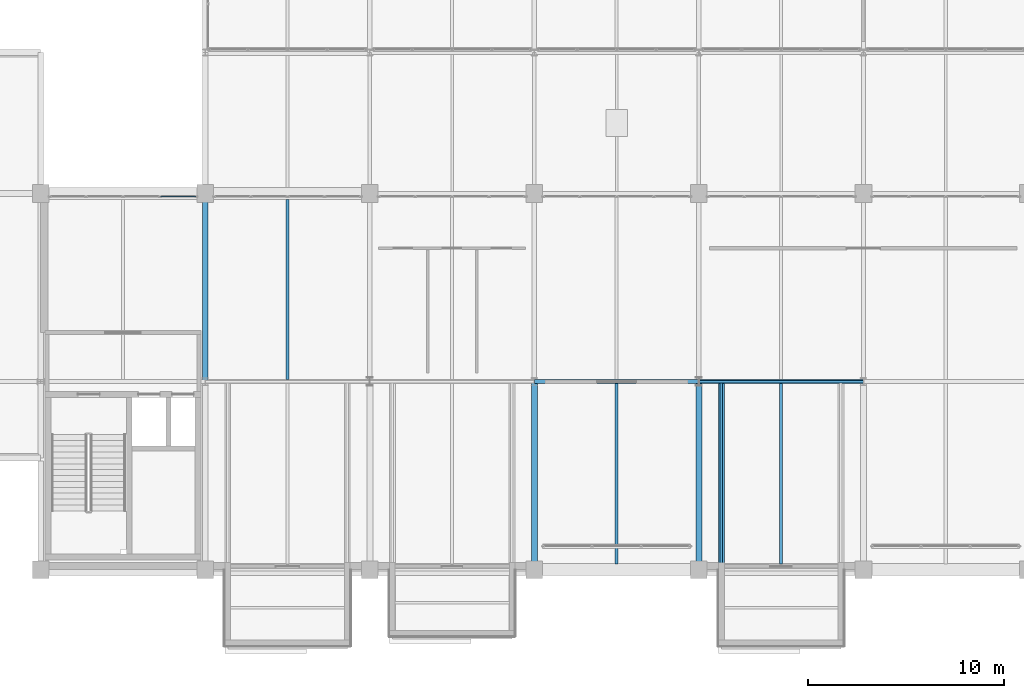
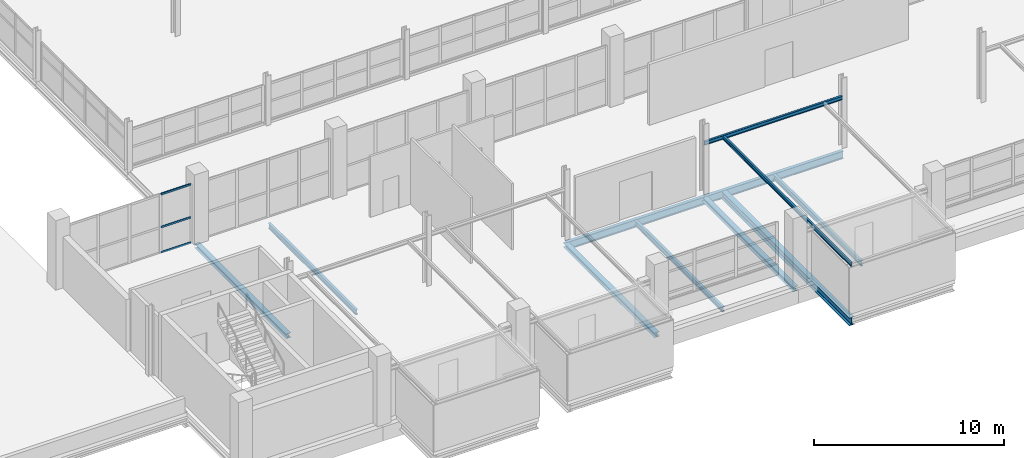
# One storey, part 16 of 103: 11 beams, 3 members, 1 element without a shape of its own.
"""IFC4 building model written with IfcOpenShell, lengths in metres."""

from ifc_helpers import new_model, si_unit, direction, frame, origin, origin_2d, place, context, subcontext, project, spatial, hollow_rectangle, i_section, extrude, material, material_profile, profile_set, type_object, element, aggregate, save


model = new_model("IFC4")

# Units and contexts
model_context = context("Model", 3, precision=1e-05, world=origin(), true_north=direction((0.0, 1.0)))
body_context = subcontext(model_context, "Body", "Model", "MODEL_VIEW")
ifc_project = project(units=[si_unit("LENGTHUNIT", "METRE"), si_unit("AREAUNIT", "SQUARE_METRE"), si_unit("VOLUMEUNIT", "CUBIC_METRE"), si_unit("PLANEANGLEUNIT", "RADIAN"), si_unit("MASSUNIT", "GRAM", prefix="KILO")], contexts=[model_context])

# Site, building, storey
site_placement = place(None, origin())
site = spatial("IfcSite", under=ifc_project, at=site_placement, CompositionType="ELEMENT")
building_placement = place(site_placement, origin())
building = spatial("IfcBuilding", under=site, at=building_placement, Name="Veltarok Museum of Natural Sciences", CompositionType="ELEMENT")
storey_placement = place(building_placement, frame((0.0, 0.0, 21.89990234375)))
storey = spatial("IfcBuildingStorey", under=building, at=storey_placement, Name="L04", CompositionType="ELEMENT", Elevation=21.89990234375)

# Beams
ifc_material_1 = material(Name="Steel S355J2", Category="steel")
ifc_material_profile_1 = material_profile(ifc_material_1, i_section(OverallWidth=0.300048828125, OverallDepth=0.5, WebThickness=0.014404296875, FlangeThickness=0.028076171875, FilletRadius=0.027099609375, at=origin_2d()), Name="HEB 500")
ifc_profile_set_1 = profile_set([ifc_material_profile_1], Name="Steel S355J2")
beam_type_1 = type_object("IfcBeamType", Name="Cabinet Box Cantilever Girder HEB 500", PredefinedType="BEAM", material=ifc_profile_set_1)
beam_1_placement = place(storey_placement, frame((66.35009765625, -3.89990234375, -0.5), z_axis=(0.0, 1.0, 0.0), x_axis=(-1.0, 0.0, 0.0)))
element("IfcBeam", 1, at=beam_1_placement, inside=storey, type_object=beam_type_1, Name="Cabinet Cantilever Girder DB-21-1", PredefinedType="BEAM", context=body_context, shape_type="SweptSolid", body=[
    extrude(i_section(OverallWidth=0.300048828125, OverallDepth=0.5, WebThickness=0.014404296875, FlangeThickness=0.028076171875, FilletRadius=0.027099609375, at=origin_2d()), origin(), (0.0, 0.0, 1.0), 13.5),
])
ifc_material_profile_2 = material_profile(ifc_material_1, i_section(OverallWidth=0.1201171875, OverallDepth=0.239990234375, WebThickness=0.006103515625, FlangeThickness=0.009765625, FilletRadius=0.014892578125, at=origin_2d()), Name="IPE 240")
ifc_profile_set_2 = profile_set([ifc_material_profile_2], Name="Steel S355J2")
beam_type_2 = type_object("IfcBeamType", Name="Cabinet Box Secondary Joist IPE 240", PredefinedType="JOIST", material=ifc_profile_set_2)
beam_2_placement = place(storey_placement, frame((66.35009765625, -3.89990234375, 3.130126953125), z_axis=(0.0, 1.0, 0.0), x_axis=(-1.0, 0.0, 0.0)))
element("IfcBeam", 2, at=beam_2_placement, inside=storey, type_object=beam_type_2, Name="Cabinet Roof Rafter DB-21-1", PredefinedType="JOIST", context=body_context, shape_type="SweptSolid", body=[
    extrude(i_section(OverallWidth=0.1201171875, OverallDepth=0.239990234375, WebThickness=0.006103515625, FlangeThickness=0.009765625, FilletRadius=0.014892578125, at=origin_2d()), origin(), (0.0, 0.0, 1.0), 13.5),
])
beam_3_placement = place(storey_placement, frame((65.199951171875, 9.60009765625, 3.130126953125), z_axis=(1.0, 0.0, 0.0), x_axis=(0.0, 1.0, 0.0)))
element("IfcBeam", 3, at=beam_3_placement, inside=storey, type_object=beam_type_2, Name="Cabinet Roof Tie Beam DB-21-I", PredefinedType="JOIST", context=body_context, shape_type="SweptSolid", body=[
    extrude(i_section(OverallWidth=0.1201171875, OverallDepth=0.239990234375, WebThickness=0.006103515625, FlangeThickness=0.009765625, FilletRadius=0.014892578125, at=origin_2d()), origin(), (0.0, 0.0, 1.0), 8.400146484375),
])

# Curtain wall, members
ifc_material_2 = material(Name="Low-iron triple insulated glass", Category="glass")
curtain_wall_type = type_object("IfcCurtainWallType", Name="Curtain Wall System CW-V1CN4-L04-2-755x378 (CW-V1CN4 L04 755x378cm)", PredefinedType="NOTDEFINED", material=ifc_material_2)
curtain_wall_placement = place(storey_placement, origin())
curtain_wall = element("IfcCurtainWall", 4, at=curtain_wall_placement, inside=storey, type_object=curtain_wall_type, Name="Curtain Wall CW-V1CN4-L04-2-755x378 CW-0162", PredefinedType="NOTDEFINED")
ifc_material_3 = material(Name="Thermally broken anodised aluminium", Category="aluminium")
ifc_material_profile_3 = material_profile(ifc_material_3, hollow_rectangle(XDim=0.06005859375, YDim=0.1201171875, WallThickness=0.0048828125, at=origin_2d()), Name="CW TRANSOM 60x120x5")
ifc_profile_set_3 = profile_set([ifc_material_profile_3], Name="Thermally broken anodised aluminium")
member_type = type_object("IfcMemberType", Name="Curtain Wall Horizontal Transom 60x120x5", PredefinedType="USERDEFINED", material=ifc_profile_set_3)
member_1_placement = place(storey_placement, frame((39.514892578125, 19.050048828125, 0.028076171875), z_axis=(-1.0, 0.0, 0.0), x_axis=(0.0, -1.0, 0.0)))
member_1 = element("IfcMember", 5, at=member_1_placement, type_object=member_type, Name="CW-V1CN4-L04-2-755x378 transom 1.1", ObjectType="TRANSOM", PredefinedType="USERDEFINED", context=body_context, shape_type="SweptSolid", body=[
    extrude(hollow_rectangle(XDim=0.06005859375, YDim=0.1201171875, WallThickness=0.0048828125, at=origin_2d()), origin(), (0.0, 0.0, 1.0), 1.79736328125),
])
member_2_placement = place(storey_placement, frame((39.514892578125, 19.050048828125, 1.648193359375), z_axis=(-1.0, 0.0, 0.0), x_axis=(0.0, -1.0, 0.0)))
member_2 = element("IfcMember", 6, at=member_2_placement, type_object=member_type, Name="CW-V1CN4-L04-2-755x378 transom 1.2", ObjectType="TRANSOM", PredefinedType="USERDEFINED", context=body_context, shape_type="SweptSolid", body=[
    extrude(hollow_rectangle(XDim=0.06005859375, YDim=0.1201171875, WallThickness=0.0048828125, at=origin_2d()), origin(), (0.0, 0.0, 1.0), 1.79736328125),
])
member_3_placement = place(storey_placement, frame((39.514892578125, 19.050048828125, 3.75), z_axis=(-1.0, 0.0, 0.0), x_axis=(0.0, -1.0, 0.0)))
member_3 = element("IfcMember", 7, at=member_3_placement, type_object=member_type, Name="CW-V1CN4-L04-2-755x378 transom 1.3", ObjectType="TRANSOM", PredefinedType="USERDEFINED", context=body_context, shape_type="SweptSolid", body=[
    extrude(hollow_rectangle(XDim=0.06005859375, YDim=0.1201171875, WallThickness=0.0048828125, at=origin_2d()), origin(), (0.0, 0.0, 1.0), 1.79736328125),
])
aggregate(curtain_wall, [member_1, member_2, member_3])

# Beams
ifc_material_profile_4 = material_profile(ifc_material_1, i_section(OverallWidth=0.300048828125, OverallDepth=0.2900390625, WebThickness=0.008544921875, FlangeThickness=0.013916015625, FilletRadius=0.027099609375, at=origin_2d()), Name="HEA 300")
ifc_profile_set_4 = profile_set([ifc_material_profile_4], Name="Steel S355J2")
beam_type_3 = type_object("IfcBeamType", Name="Glazed Hall Edge Spandrel HEA 300", PredefinedType="SPANDREL", material=ifc_profile_set_4)
beam_4_placement = place(storey_placement, frame((40.0, 9.60009765625, -0.39501953125), z_axis=(0.0, 1.0, 0.0), x_axis=(-1.0, 0.0, 0.0)))
element("IfcBeam", 8, at=beam_4_placement, inside=storey, type_object=beam_type_3, Name="Beam BM-SP03 L04 5/B-C", PredefinedType="SPANDREL", context=body_context, shape_type="SweptSolid", body=[
    extrude(i_section(OverallWidth=0.300048828125, OverallDepth=0.2900390625, WebThickness=0.008544921875, FlangeThickness=0.013916015625, FilletRadius=0.027099609375, at=origin_2d()), origin(), (0.0, 0.0, 1.0), 9.599853515625),
])
for number, where, z_axis, x_axis, name in (
    (9, (56.800048828125, 0.0, -0.39501953125), (0.0, 1.0, 0.0), (-1.0, 0.0, 0.0), "Beam BM-SP03 L04 7/A-B"),
    (10, (65.199951171875, 0.0, -0.39501953125), (0.0, 1.0, 0.0), (-1.0, 0.0, 0.0), "Beam BM-SP03 L04 8/A-B"),
):
    element("IfcBeam", number, at=place(storey_placement, frame(where, z_axis=z_axis, x_axis=x_axis)), inside=storey, type_object=beam_type_3, Name=name, PredefinedType="SPANDREL", context=body_context, shape_type="SweptSolid", body=[
        extrude(i_section(OverallWidth=0.300048828125, OverallDepth=0.2900390625, WebThickness=0.008544921875, FlangeThickness=0.013916015625, FilletRadius=0.027099609375, at=origin_2d()), origin(), (0.0, 0.0, 1.0), 9.60009765625),
    ])
ifc_material_profile_5 = material_profile(ifc_material_1, i_section(OverallWidth=0.159912109375, OverallDepth=0.330078125, WebThickness=0.007568359375, FlangeThickness=0.011474609375, FilletRadius=0.01806640625, at=origin_2d()), Name="IPE 330")
ifc_profile_set_5 = profile_set([ifc_material_profile_5], Name="Steel S355J2")
beam_type_4 = type_object("IfcBeamType", Name="Medium-Bay Composite Joist IPE 330", PredefinedType="JOIST", material=ifc_profile_set_5)
beam_5_placement = place(storey_placement, frame((44.199951171875, 9.697998046875, -0.414794921875), z_axis=(0.0, 1.0, 0.0), x_axis=(-1.0, 0.0, 0.0)))
element("IfcBeam", 11, at=beam_5_placement, inside=storey, type_object=beam_type_4, Name="Secondary Joist BM-J02 L04 5-6/B-C.1", PredefinedType="JOIST", context=body_context, shape_type="SweptSolid", body=[
    extrude(i_section(OverallWidth=0.159912109375, OverallDepth=0.330078125, WebThickness=0.007568359375, FlangeThickness=0.011474609375, FilletRadius=0.01806640625, at=origin_2d()), origin(), (0.0, 0.0, 1.0), 9.2041015625),
])
for number, where, z_axis, x_axis, name in (
    (12, (61.0, 0.298095703125, -0.414794921875), (0.0, 1.0, 0.0), (-1.0, 0.0, 0.0), "Secondary Joist BM-J02 L04 7-8/A-B.1"),
    (13, (69.39990234375, 0.298095703125, -0.414794921875), (0.0, 1.0, 0.0), (-1.0, 0.0, 0.0), "Secondary Joist BM-J02 L04 8-9/A-B.1"),
):
    element("IfcBeam", number, at=place(storey_placement, frame(where, z_axis=z_axis, x_axis=x_axis)), inside=storey, type_object=beam_type_4, Name=name, PredefinedType="JOIST", context=body_context, shape_type="SweptSolid", body=[
        extrude(i_section(OverallWidth=0.159912109375, OverallDepth=0.330078125, WebThickness=0.007568359375, FlangeThickness=0.011474609375, FilletRadius=0.01806640625, at=origin_2d()), origin(), (0.0, 0.0, 1.0), 9.203857421875),
    ])
ifc_material_profile_6 = material_profile(ifc_material_1, i_section(OverallWidth=0.199951171875, OverallDepth=0.5, WebThickness=0.01025390625, FlangeThickness=0.01611328125, FilletRadius=0.02099609375, at=origin_2d()), Name="IPE 500")
ifc_profile_set_6 = profile_set([ifc_material_profile_6], Name="Steel S355J2")
beam_type_5 = type_object("IfcBeamType", Name="Standard Gallery Girder IPE 500", PredefinedType="BEAM", material=ifc_profile_set_6)
beam_6_placement = place(storey_placement, frame((56.800048828125, 9.60009765625, -0.5), z_axis=(1.0, 0.0, 0.0), x_axis=(0.0, 1.0, 0.0)))
element("IfcBeam", 14, at=beam_6_placement, inside=storey, type_object=beam_type_5, Name="Beam BM-G04 L04 7-8/B", PredefinedType="BEAM", context=body_context, shape_type="SweptSolid", body=[
    extrude(i_section(OverallWidth=0.199951171875, OverallDepth=0.5, WebThickness=0.01025390625, FlangeThickness=0.01611328125, FilletRadius=0.02099609375, at=origin_2d()), origin(), (0.0, 0.0, 1.0), 8.39990234375),
])
beam_7_placement = place(storey_placement, frame((65.199951171875, 9.60009765625, -0.5), z_axis=(1.0, 0.0, 0.0), x_axis=(0.0, 1.0, 0.0)))
element("IfcBeam", 15, at=beam_7_placement, inside=storey, type_object=beam_type_5, Name="Beam BM-G04 L04 8-9/B", PredefinedType="BEAM", context=body_context, shape_type="SweptSolid", body=[
    extrude(i_section(OverallWidth=0.199951171875, OverallDepth=0.5, WebThickness=0.01025390625, FlangeThickness=0.01611328125, FilletRadius=0.02099609375, at=origin_2d()), origin(), (0.0, 0.0, 1.0), 8.400146484375),
])

save(model, "model.ifc")
